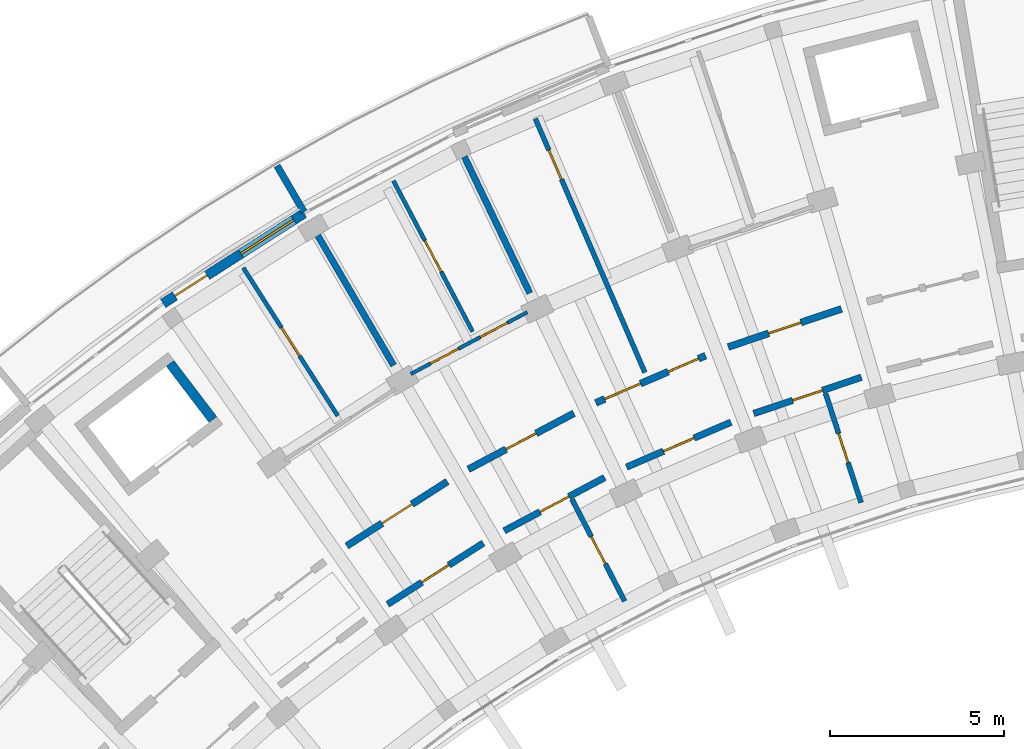
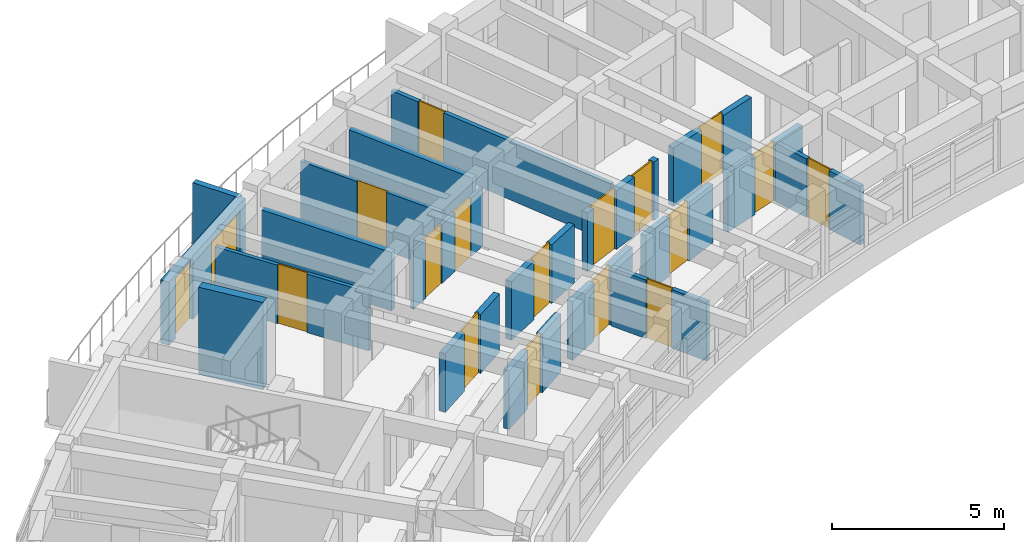
# One storey, part 28 of 54: 19 walls, 17 doors, 1 window, 18 openings.
"""IFC4 building model written with IfcOpenShell, lengths in metres."""

from ifc_helpers import new_model, si_unit, direction, frame, frame_2d, origin, place, context, subcontext, project, spatial, rectangle, extrude, material, layer, layer_set, type_object, element, fill, save


model = new_model("IFC4")

# Units and contexts
model_context = context("Model", 3, precision=1e-05, world=origin(), true_north=direction((0.0, 1.0)))
body_context = subcontext(model_context, "Body", "Model", "MODEL_VIEW")
ifc_project = project(units=[si_unit("LENGTHUNIT", "METRE"), si_unit("AREAUNIT", "SQUARE_METRE"), si_unit("VOLUMEUNIT", "CUBIC_METRE"), si_unit("PLANEANGLEUNIT", "RADIAN"), si_unit("MASSUNIT", "GRAM", prefix="KILO")], contexts=[model_context])

# Site, building, storey
site_placement = place(None, origin())
site = spatial("IfcSite", under=ifc_project, at=site_placement, CompositionType="ELEMENT")
building_placement = place(site_placement, origin())
building = spatial("IfcBuilding", under=site, at=building_placement, Name="Zimvara Arc Housing Community", CompositionType="ELEMENT")
storey_placement = place(building_placement, frame((0.0, 0.0, 20.5)))
storey = spatial("IfcBuildingStorey", under=building, at=storey_placement, Name="L06", CompositionType="ELEMENT", Elevation=20.5)

# Wall
ifc_material_1 = material(Name="Board-Marked Fair-Faced Concrete C35/45", Category="concrete")
ifc_layer_1 = layer(ifc_material_1, 0.195068359375)
ifc_layer_set_1 = layer_set([ifc_layer_1], Name="Board-Marked Fair-Faced Concrete C35/45")
wall_type_1 = type_object("IfcWallType", Name="EWL-PARA-195", PredefinedType="PARAPET", material=ifc_layer_set_1)
wall_1_placement = place(storey_placement, frame((15.038818359375, 95.8134765625, 0.0), z_axis=(0.0, 0.0, 1.0), x_axis=(-0.504228145431, 0.863570481985, 0.0)))
element("IfcWall", 1, at=wall_1_placement, inside=storey, type_object=wall_type_1, Name="finwall:blkA:L06:out:b4", PredefinedType="PARAPET", context=body_context, shape_type="SweptSolid", body=[
    extrude(rectangle(XDim=1.530029296875, YDim=0.195068359375, at=frame_2d((0.76513671875, 0.0))), origin(), (0.0, 0.0, 1.0), 2.25),
])

# Wall, openings, door, window
ifc_material_2 = material(Name="Board-Marked Fair-Faced Concrete C35/45", Category="concrete")
ifc_layer_2 = layer(ifc_material_2, 0.281982421875)
ifc_layer_set_2 = layer_set([ifc_layer_2], Name="Board-Marked Fair-Faced Concrete C35/45")
wall_type_2 = type_object("IfcWallType", Name="EWL-VAR-24", PredefinedType="SOLIDWALL", material=ifc_layer_set_2)
wall_2_placement = place(storey_placement, frame((10.991943359375, 93.17578125, 0.0), z_axis=(0.0, 0.0, 1.0), x_axis=(0.84226218024, 0.539068103061, 0.0)))
wall_2 = element("IfcWall", 2, at=wall_2_placement, inside=storey, type_object=wall_type_2, Name="ewall:blkA:L06:out:b3", PredefinedType="SOLIDWALL", context=body_context, shape_type="SweptSolid", body=[
    extrude(rectangle(XDim=4.808837890625, YDim=0.281982421875, at=frame_2d((2.404296875, 0.0))), origin(), (0.0, 0.0, 1.0), 2.25),
])
opening_1_placement = place(wall_2_placement, frame((0.39990234375, 0.0, 0.0)))
opening_1 = element("IfcOpeningElement", 3, at=opening_1_placement, cuts=wall_2, Name="Opening ED06", PredefinedType="OPENING", context=body_context, shape_type="SweptSolid", body=[
    extrude(rectangle(XDim=1.10009765625, YDim=2.14990234375, at=frame_2d((0.550048828125, 1.074951171875))), frame((0.0, 0.15087890625, 0.0), z_axis=(0.0, -1.0, 0.0), x_axis=(1.0, 0.0, 0.0)), (0.0, 0.0, 1.0), 0.302001953125),
])
opening_2_placement = place(wall_2_placement, frame((2.658935546875, 0.0, 0.35009765625)))
opening_2 = element("IfcOpeningElement", 4, at=opening_2_placement, cuts=wall_2, Name="Opening W08", PredefinedType="OPENING", context=body_context, shape_type="SweptSolid", body=[
    extrude(rectangle(XDim=1.800048828125, YDim=1.64990234375, at=frame_2d((0.89990234375, 0.824951171875))), frame((0.0, 0.15087890625, 0.0), z_axis=(0.0, -1.0, 0.0), x_axis=(1.0, 0.0, 0.0)), (0.0, 0.0, 1.0), 0.302001953125),
])
ifc_material_3 = material(Name="Anodised Aluminium AW-6063", Category="aluminium")
door_type_1 = type_object("IfcDoorType", Name="EDR-TERR-1100x2150", OperationType="NOTDEFINED", PredefinedType="DOOR", material=ifc_material_3)
door_1_placement = place(opening_1_placement, origin())
door_1 = element("IfcDoor", 5, at=door_1_placement, inside=storey, type_object=door_type_1, Name="edoor:blkA:L06:bal_out:b3", OperationType="SINGLE_SWING_LEFT", OverallHeight=2.14990234375, OverallWidth=1.10009765625, PredefinedType="DOOR", context=body_context, shape_type="SweptSolid", body=[
    extrude(rectangle(XDim=1.10009765625, YDim=2.14990234375, at=frame_2d((0.550048828125, 1.074951171875))), frame((0.0, 0.02490234375, 0.0), z_axis=(0.0, -1.0, 0.0), x_axis=(1.0, 0.0, 0.0)), (0.0, 0.0, 1.0), 0.050048828125),
])
fill(opening_1, door_1)
ifc_material_4 = material(Name="Solar Control Low-E Double Glazing", Category="glass")
window_type = type_object("IfcWindowType", Name="WIN-RES-1800x1650", PartitioningType="TRIPLE_PANEL_VERTICAL", PredefinedType="WINDOW", material=ifc_material_4)
window_placement = place(opening_2_placement, origin())
window = element("IfcWindow", 6, at=window_placement, inside=storey, type_object=window_type, Name="win:blkA:L06:out:b3:balw", OverallHeight=1.64990234375, OverallWidth=1.800048828125, PartitioningType="TRIPLE_PANEL_VERTICAL", PredefinedType="WINDOW", context=body_context, shape_type="SweptSolid", body=[
    extrude(rectangle(XDim=1.800048828125, YDim=1.64990234375, at=frame_2d((0.89990234375, 0.824951171875))), frame((0.0, 0.030029296875, 0.0), z_axis=(0.0, -1.0, 0.0), x_axis=(1.0, 0.0, 0.0)), (0.0, 0.0, 1.0), 0.06005859375),
])
fill(opening_2, window)

# Wall, opening, door
ifc_material_5 = material(Name="Concrete C35/45", Category="concrete")
ifc_layer_3 = layer(ifc_material_5, 0.18994140625)
ifc_layer_set_3 = layer_set([ifc_layer_3], Name="Concrete C35/45")
wall_type_3 = type_object("IfcWallType", Name="IWL-CORR-190", PredefinedType="SOLIDWALL", material=ifc_layer_set_3)
wall_3_placement = place(storey_placement, frame((17.44677734375, 84.518798828125, 0.0), z_axis=(0.0, 0.0, 1.0), x_axis=(0.842225276846, 0.539125758095, 0.0)))
wall_3 = element("IfcWall", 7, at=wall_3_placement, inside=storey, type_object=wall_type_3, Name="iwall:blkA:L06:corr_in:b3", PredefinedType="SOLIDWALL", context=body_context, shape_type="SweptSolid", body=[
    extrude(rectangle(XDim=3.2685546875, YDim=0.18994140625, at=frame_2d((1.63427734375, 0.0))), origin(), (0.0, 0.0, 1.0), 2.080078125),
])
opening_3_placement = place(wall_3_placement, frame((1.17431640625, 0.0, 0.0)))
opening_3 = element("IfcOpeningElement", 8, at=opening_3_placement, cuts=wall_3, Name="Opening D02", PredefinedType="OPENING", context=body_context, shape_type="SweptSolid", body=[
    extrude(rectangle(XDim=0.919921875, YDim=2.10009765625, at=frame_2d((0.4599609375, 1.050048828125))), frame((0.0, 0.10498046875, 0.0), z_axis=(0.0, -1.0, 0.0), x_axis=(1.0, 0.0, 0.0)), (0.0, 0.0, 1.0), 0.2099609375),
])
ifc_material_6 = material(Name="Mozambican Hardwood", Category="wood")
door_type_2 = type_object("IfcDoorType", Name="IDR-RM-0920x2100", OperationType="NOTDEFINED", PredefinedType="DOOR", material=ifc_material_6)
door_2_placement = place(opening_3_placement, origin())
door_2 = element("IfcDoor", 9, at=door_2_placement, inside=storey, type_object=door_type_2, Name="idoor:blkA:L06:in_rm:b3", OperationType="SINGLE_SWING_LEFT", OverallHeight=2.10009765625, OverallWidth=0.919921875, PredefinedType="DOOR", context=body_context, shape_type="SweptSolid", body=[
    extrude(rectangle(XDim=0.919921875, YDim=2.10009765625, at=frame_2d((0.4599609375, 1.050048828125))), frame((0.0, 0.02490234375, 0.0), z_axis=(0.0, -1.0, 0.0), x_axis=(1.0, 0.0, 0.0)), (0.0, 0.0, 1.0), 0.050048828125),
])
fill(opening_3, door_2)

wall_4_placement = place(storey_placement, frame((20.8037109375, 86.633544921875, 0.0), z_axis=(0.0, 0.0, 1.0), x_axis=(0.883444301944, 0.468536194293, 0.0)))
wall_4 = element("IfcWall", 10, at=wall_4_placement, inside=storey, type_object=wall_type_3, Name="iwall:blkA:L06:corr_in:b4", PredefinedType="SOLIDWALL", context=body_context, shape_type="SweptSolid", body=[
    extrude(rectangle(XDim=3.268798828125, YDim=0.18994140625, at=frame_2d((1.63427734375, 0.0))), origin(), (0.0, 0.0, 1.0), 2.080078125),
])
opening_4_placement = place(wall_4_placement, frame((1.164306640625, 0.0, 0.0)))
opening_4 = element("IfcOpeningElement", 11, at=opening_4_placement, cuts=wall_4, Name="Opening D03", PredefinedType="OPENING", context=body_context, shape_type="SweptSolid", body=[
    extrude(rectangle(XDim=0.93994140625, YDim=2.10009765625, at=frame_2d((0.469970703125, 1.050048828125))), frame((0.0, 0.10498046875, 0.0), z_axis=(0.0, -1.0, 0.0), x_axis=(1.0, 0.0, 0.0)), (0.0, 0.0, 1.0), 0.2099609375),
])
ifc_material_7 = material(Name="Mozambican Hardwood", Category="wood")
door_type_3 = type_object("IfcDoorType", Name="IDR-RM-0940x2100", OperationType="NOTDEFINED", PredefinedType="DOOR", material=ifc_material_7)
door_3_placement = place(opening_4_placement, origin())
door_3 = element("IfcDoor", 12, at=door_3_placement, inside=storey, type_object=door_type_3, Name="idoor:blkA:L06:in_rm:b4", OperationType="SINGLE_SWING_RIGHT", OverallHeight=2.10009765625, OverallWidth=0.93994140625, PredefinedType="DOOR", context=body_context, shape_type="SweptSolid", body=[
    extrude(rectangle(XDim=0.93994140625, YDim=2.10009765625, at=frame_2d((0.469970703125, 1.050048828125))), frame((0.0, 0.02490234375, 0.0), z_axis=(0.0, -1.0, 0.0), x_axis=(1.0, 0.0, 0.0)), (0.0, 0.0, 1.0), 0.050048828125),
])
fill(opening_4, door_3)

wall_5_placement = place(storey_placement, frame((24.322265625, 88.46728515625, 0.0), z_axis=(0.0, 0.0, 1.0), x_axis=(0.918723391052, 0.394901672235, 0.0)))
wall_5 = element("IfcWall", 13, at=wall_5_placement, inside=storey, type_object=wall_type_3, Name="iwall:blkA:L06:corr_in:b5", PredefinedType="SOLIDWALL", context=body_context, shape_type="SweptSolid", body=[
    extrude(rectangle(XDim=3.2685546875, YDim=0.18994140625, at=frame_2d((1.63427734375, 0.0))), origin(), (0.0, 0.0, 1.0), 2.080078125),
])
opening_5_placement = place(wall_5_placement, frame((1.154296875, 0.0, 0.0)))
opening_5 = element("IfcOpeningElement", 14, at=opening_5_placement, cuts=wall_5, Name="Opening D04", PredefinedType="OPENING", context=body_context, shape_type="SweptSolid", body=[
    extrude(rectangle(XDim=0.9599609375, YDim=2.10009765625, at=frame_2d((0.47998046875, 1.050048828125))), frame((0.0, 0.10498046875, 0.0), z_axis=(0.0, -1.0, 0.0), x_axis=(1.0, 0.0, 0.0)), (0.0, 0.0, 1.0), 0.2099609375),
])
ifc_material_8 = material(Name="Mozambican Hardwood", Category="wood")
door_type_4 = type_object("IfcDoorType", Name="IDR-RM-0960x2100", OperationType="NOTDEFINED", PredefinedType="DOOR", material=ifc_material_8)
door_4_placement = place(opening_5_placement, origin())
door_4 = element("IfcDoor", 15, at=door_4_placement, inside=storey, type_object=door_type_4, Name="idoor:blkA:L06:in_rm:b5", OperationType="SINGLE_SWING_LEFT", OverallHeight=2.10009765625, OverallWidth=0.9599609375, PredefinedType="DOOR", context=body_context, shape_type="SweptSolid", body=[
    extrude(rectangle(XDim=0.9599609375, YDim=2.10009765625, at=frame_2d((0.47998046875, 1.050048828125))), frame((0.0, 0.02490234375, 0.0), z_axis=(0.0, -1.0, 0.0), x_axis=(1.0, 0.0, 0.0)), (0.0, 0.0, 1.0), 0.050048828125),
])
fill(opening_5, door_4)

wall_6_placement = place(storey_placement, frame((27.978515625, 90.0078125, 0.0), z_axis=(0.0, 0.0, 1.0), x_axis=(0.94787351033, 0.318646839643, 0.0)))
wall_6 = element("IfcWall", 16, at=wall_6_placement, inside=storey, type_object=wall_type_3, Name="iwall:blkA:L06:corr_in:b6", PredefinedType="SOLIDWALL", context=body_context, shape_type="SweptSolid", body=[
    extrude(rectangle(XDim=3.2685546875, YDim=0.18994140625, at=frame_2d((1.63427734375, 0.0))), origin(), (0.0, 0.0, 1.0), 2.080078125),
])
opening_6_placement = place(wall_6_placement, frame((1.184326171875, 0.0, 0.0)))
opening_6 = element("IfcOpeningElement", 17, at=opening_6_placement, cuts=wall_6, Name="Opening D01", PredefinedType="OPENING", context=body_context, shape_type="SweptSolid", body=[
    extrude(rectangle(XDim=0.89990234375, YDim=2.10009765625, at=frame_2d((0.449951171875, 1.050048828125))), frame((0.0, 0.10498046875, 0.0), z_axis=(0.0, -1.0, 0.0), x_axis=(1.0, 0.0, 0.0)), (0.0, 0.0, 1.0), 0.2099609375),
])
ifc_material_9 = material(Name="Mozambican Hardwood", Category="wood")
door_type_5 = type_object("IfcDoorType", Name="IDR-RM-0900x2100", OperationType="NOTDEFINED", PredefinedType="DOOR", material=ifc_material_9)
door_5_placement = place(opening_6_placement, origin())
door_5 = element("IfcDoor", 18, at=door_5_placement, inside=storey, type_object=door_type_5, Name="idoor:blkA:L06:in_rm:b6", OperationType="SINGLE_SWING_RIGHT", OverallHeight=2.10009765625, OverallWidth=0.89990234375, PredefinedType="DOOR", context=body_context, shape_type="SweptSolid", body=[
    extrude(rectangle(XDim=0.89990234375, YDim=2.10009765625, at=frame_2d((0.449951171875, 1.050048828125))), frame((0.0, 0.02490234375, 0.0), z_axis=(0.0, -1.0, 0.0), x_axis=(1.0, 0.0, 0.0)), (0.0, 0.0, 1.0), 0.050048828125),
])
fill(opening_6, door_5)

ifc_material_10 = material(Name="Concrete C35/45", Category="concrete")
ifc_layer_4 = layer(ifc_material_10, 0.199951171875)
ifc_layer_set_4 = layer_set([ifc_layer_4], Name="Concrete C35/45")
wall_type_4 = type_object("IfcWallType", Name="IWL-CORR-200", PredefinedType="SOLIDWALL", material=ifc_layer_set_4)
wall_7_placement = place(storey_placement, frame((16.272216796875, 86.198974609375, 0.0), z_axis=(0.0, 0.0, 1.0), x_axis=(0.842257205985, 0.539075874963, 0.0)))
wall_7 = element("IfcWall", 19, at=wall_7_placement, inside=storey, type_object=wall_type_4, Name="iwall:blkA:L06:corr_out:b3", PredefinedType="SOLIDWALL", context=body_context, shape_type="SweptSolid", body=[
    extrude(rectangle(XDim=3.43603515625, YDim=0.199951171875, at=frame_2d((1.718017578125, 0.0))), origin(), (0.0, 0.0, 1.0), 2.080078125),
])
opening_7_placement = place(wall_7_placement, frame((1.2080078125, 0.0, 0.0)))
opening_7 = element("IfcOpeningElement", 20, at=opening_7_placement, cuts=wall_7, Name="Opening FD-FL2", PredefinedType="OPENING", context=body_context, shape_type="SweptSolid", body=[
    extrude(rectangle(XDim=1.02001953125, YDim=2.14990234375, at=frame_2d((0.510009765625, 1.074951171875))), frame((0.0, 0.10986328125, 0.0), z_axis=(0.0, -1.0, 0.0), x_axis=(1.0, 0.0, 0.0)), (0.0, 0.0, 1.0), 0.219970703125),
])
ifc_material_11 = material(Name="Mozambican Hardwood", Category="wood")
door_type_6 = type_object("IfcDoorType", Name="IDR-FLAT-1020x2150", OperationType="NOTDEFINED", PredefinedType="DOOR", material=ifc_material_11)
door_6_placement = place(opening_7_placement, origin())
door_6 = element("IfcDoor", 21, at=door_6_placement, inside=storey, type_object=door_type_6, Name="idoor:blkA:L06:flat:b3", OperationType="SINGLE_SWING_RIGHT", OverallHeight=2.14990234375, OverallWidth=1.02001953125, PredefinedType="DOOR", context=body_context, shape_type="SweptSolid", body=[
    extrude(rectangle(XDim=1.02001953125, YDim=2.14990234375, at=frame_2d((0.510009765625, 1.074951171875))), frame((0.0, 0.02490234375, 0.0), z_axis=(0.0, -1.0, 0.0), x_axis=(1.0, 0.0, 0.0)), (0.0, 0.0, 1.0), 0.050048828125),
])
fill(opening_7, door_6)

wall_8_placement = place(storey_placement, frame((19.770263671875, 88.40380859375, 0.0), z_axis=(0.0, 0.0, 1.0), x_axis=(0.883410853063, 0.468599258099, 0.0)))
wall_8 = element("IfcWall", 22, at=wall_8_placement, inside=storey, type_object=wall_type_4, Name="iwall:blkA:L06:corr_out:b4", PredefinedType="SOLIDWALL", context=body_context, shape_type="SweptSolid", body=[
    extrude(rectangle(XDim=3.43603515625, YDim=0.199951171875, at=frame_2d((1.718017578125, 0.0))), origin(), (0.0, 0.0, 1.0), 2.080078125),
])
opening_8_placement = place(wall_8_placement, frame((1.22802734375, 0.0, 0.0)))
opening_8 = element("IfcOpeningElement", 23, at=opening_8_placement, cuts=wall_8, Name="Opening FD-FL1", PredefinedType="OPENING", context=body_context, shape_type="SweptSolid", body=[
    extrude(rectangle(XDim=0.97998046875, YDim=2.14990234375, at=frame_2d((0.489990234375, 1.074951171875))), frame((0.0, 0.10986328125, 0.0), z_axis=(0.0, -1.0, 0.0), x_axis=(1.0, 0.0, 0.0)), (0.0, 0.0, 1.0), 0.219970703125),
])
ifc_material_12 = material(Name="Mozambican Hardwood", Category="wood")
door_type_7 = type_object("IfcDoorType", Name="IDR-FLAT-0980x2150", OperationType="NOTDEFINED", PredefinedType="DOOR", material=ifc_material_12)
door_7_placement = place(opening_8_placement, origin())
door_7 = element("IfcDoor", 24, at=door_7_placement, inside=storey, type_object=door_type_7, Name="idoor:blkA:L06:flat:b4", OperationType="SINGLE_SWING_LEFT", OverallHeight=2.14990234375, OverallWidth=0.97998046875, PredefinedType="DOOR", context=body_context, shape_type="SweptSolid", body=[
    extrude(rectangle(XDim=0.97998046875, YDim=2.14990234375, at=frame_2d((0.489990234375, 1.074951171875))), frame((0.0, 0.02490234375, 0.0), z_axis=(0.0, -1.0, 0.0), x_axis=(1.0, 0.0, 0.0)), (0.0, 0.0, 1.0), 0.050048828125),
])
fill(opening_8, door_7)

# Wall, openings, doors
wall_9_placement = place(storey_placement, frame((23.4365234375, 90.31591796875, 0.0), z_axis=(0.0, 0.0, 1.0), x_axis=(0.918718172399, 0.394913813008, 0.0)))
wall_9 = element("IfcWall", 25, at=wall_9_placement, inside=storey, type_object=wall_type_4, Name="iwall:blkA:L06:corr_out:b5", PredefinedType="SOLIDWALL", context=body_context, shape_type="SweptSolid", body=[
    extrude(rectangle(XDim=3.43603515625, YDim=0.199951171875, at=frame_2d((1.718017578125, 0.0))), origin(), (0.0, 0.0, 1.0), 2.080078125),
])
opening_9_placement = place(wall_9_placement, frame((0.280029296875, 0.0, 0.0)))
opening_9 = element("IfcOpeningElement", 26, at=opening_9_placement, cuts=wall_9, Name="Opening D07", PredefinedType="OPENING", context=body_context, shape_type="SweptSolid", body=[
    extrude(rectangle(XDim=1.1201171875, YDim=2.14990234375, at=frame_2d((0.56005859375, 1.074951171875))), frame((0.0, 0.10986328125, 0.0), z_axis=(0.0, -1.0, 0.0), x_axis=(1.0, 0.0, 0.0)), (0.0, 0.0, 1.0), 0.219970703125),
])
opening_10_placement = place(wall_9_placement, frame((2.26611328125, 0.0, 0.0)))
opening_10 = element("IfcOpeningElement", 27, at=opening_10_placement, cuts=wall_9, Name="Opening D06", PredefinedType="OPENING", context=body_context, shape_type="SweptSolid", body=[
    extrude(rectangle(XDim=0.949951171875, YDim=2.10009765625, at=frame_2d((0.47509765625, 1.050048828125))), frame((0.0, 0.10986328125, 0.0), z_axis=(0.0, -1.0, 0.0), x_axis=(1.0, 0.0, 0.0)), (0.0, 0.0, 1.0), 0.219970703125),
])
ifc_material_13 = material(Name="Mozambican Hardwood", Category="wood")
door_type_8 = type_object("IfcDoorType", Name="IDR-AMN-1120x2150", OperationType="NOTDEFINED", PredefinedType="DOOR", material=ifc_material_13)
door_8_placement = place(opening_9_placement, origin())
door_8 = element("IfcDoor", 28, at=door_8_placement, inside=storey, type_object=door_type_8, Name="idoor:blkA:L06:amen:b5", OperationType="SINGLE_SWING_LEFT", OverallHeight=2.14990234375, OverallWidth=1.1201171875, PredefinedType="DOOR", context=body_context, shape_type="SweptSolid", body=[
    extrude(rectangle(XDim=1.1201171875, YDim=2.14990234375, at=frame_2d((0.56005859375, 1.074951171875))), frame((0.0, 0.02490234375, 0.0), z_axis=(0.0, -1.0, 0.0), x_axis=(1.0, 0.0, 0.0)), (0.0, 0.0, 1.0), 0.050048828125),
])
fill(opening_9, door_8)
ifc_material_14 = material(Name="Mozambican Hardwood", Category="wood")
door_type_9 = type_object("IfcDoorType", Name="IDR-AWC-0950x2100", OperationType="NOTDEFINED", PredefinedType="DOOR", material=ifc_material_14)
door_9_placement = place(opening_10_placement, origin())
door_9 = element("IfcDoor", 29, at=door_9_placement, inside=storey, type_object=door_type_9, Name="idoor:blkA:L06:cawc:b5", OperationType="SINGLE_SWING_RIGHT", OverallHeight=2.10009765625, OverallWidth=0.949951171875, PredefinedType="DOOR", context=body_context, shape_type="SweptSolid", body=[
    extrude(rectangle(XDim=0.949951171875, YDim=2.10009765625, at=frame_2d((0.47509765625, 1.050048828125))), frame((0.0, 0.02490234375, 0.0), z_axis=(0.0, -1.0, 0.0), x_axis=(1.0, 0.0, 0.0)), (0.0, 0.0, 1.0), 0.050048828125),
])
fill(opening_10, door_9)

# Wall, opening, door
wall_10_placement = place(storey_placement, frame((27.24658203125, 91.922607421875, 0.0), z_axis=(0.0, 0.0, 1.0), x_axis=(0.947863007629, 0.318678080151, 0.0)))
wall_10 = element("IfcWall", 30, at=wall_10_placement, inside=storey, type_object=wall_type_4, Name="iwall:blkA:L06:corr_out:b6", PredefinedType="SOLIDWALL", context=body_context, shape_type="SweptSolid", body=[
    extrude(rectangle(XDim=3.43603515625, YDim=0.199951171875, at=frame_2d((1.718017578125, 0.0))), origin(), (0.0, 0.0, 1.0), 2.080078125),
])
opening_11_placement = place(wall_10_placement, frame((1.22802734375, 0.0, 0.0)))
opening_11 = element("IfcOpeningElement", 31, at=opening_11_placement, cuts=wall_10, Name="Opening FD-FL1", PredefinedType="OPENING", context=body_context, shape_type="SweptSolid", body=[
    extrude(rectangle(XDim=0.97998046875, YDim=2.14990234375, at=frame_2d((0.489990234375, 1.074951171875))), frame((0.0, 0.10986328125, 0.0), z_axis=(0.0, -1.0, 0.0), x_axis=(1.0, 0.0, 0.0)), (0.0, 0.0, 1.0), 0.219970703125),
])
door_10_placement = place(opening_11_placement, origin())
door_10 = element("IfcDoor", 32, at=door_10_placement, inside=storey, type_object=door_type_7, Name="idoor:blkA:L06:flat:b6", OperationType="SINGLE_SWING_LEFT", OverallHeight=2.14990234375, OverallWidth=0.97998046875, PredefinedType="DOOR", context=body_context, shape_type="SweptSolid", body=[
    extrude(rectangle(XDim=0.97998046875, YDim=2.14990234375, at=frame_2d((0.489990234375, 1.074951171875))), frame((0.0, 0.02490234375, 0.0), z_axis=(0.0, -1.0, 0.0), x_axis=(1.0, 0.0, 0.0)), (0.0, 0.0, 1.0), 0.050048828125),
])
fill(opening_11, door_10)

# Walls
ifc_material_15 = material(Name="Concrete C35/45", Category="concrete")
ifc_layer_5 = layer(ifc_material_15, 0.18505859375)
ifc_layer_set_5 = layer_set([ifc_layer_5], Name="Concrete C35/45")
wall_type_5 = type_object("IfcWallType", Name="IWL-FLAT-185", PredefinedType="SOLIDWALL", material=ifc_layer_set_5)
for number, where, z_axis, x_axis, name in (
    (33, (17.62060546875, 91.391845703125, 0.0), (0.0, 0.0, 1.0), (-0.504216452091, 0.863577309475, 0.0), "iwall:blkA:L06:party:b4"),
    (34, (21.537841796875, 93.469482421875, 0.0), (0.0, 0.0, 1.0), (-0.432086898897, 0.901831975371, 0.0), "iwall:blkA:L06:party:b5"),
):
    element("IfcWall", number, at=place(storey_placement, frame(where, z_axis=z_axis, x_axis=x_axis)), inside=storey, type_object=wall_type_5, Name=name, PredefinedType="SOLIDWALL", context=body_context, shape_type="SweptSolid", body=[
        extrude(rectangle(XDim=4.35009765625, YDim=0.18505859375, at=frame_2d((2.175048828125, 0.0))), origin(), (0.0, 0.0, 1.0), 2.080078125),
    ])

# Wall, openings, doors
ifc_material_16 = material(Name="Painted Acoustic Plasterboard")
ifc_layer_6 = layer(ifc_material_16, 0.10498046875)
ifc_layer_set_6 = layer_set([ifc_layer_6], Name="Painted Acoustic Plasterboard")
wall_type_6 = type_object("IfcWallType", Name="IWL-PART-105", PredefinedType="PARTITIONING", material=ifc_layer_set_6)
wall_11_placement = place(storey_placement, frame((18.112548828125, 91.143798828125, 0.0), z_axis=(0.0, 0.0, 1.0), x_axis=(0.88341855112, 0.46858474531, 0.0)))
wall_11 = element("IfcWall", 35, at=wall_11_placement, inside=storey, type_object=wall_type_6, Name="iwall:blkA:L06:srv:b4", PredefinedType="PARTITIONING", context=body_context, shape_type="SweptSolid", body=[
    extrude(rectangle(XDim=3.797119140625, YDim=0.10498046875, at=frame_2d((1.8984375, 0.0))), origin(), (0.0, 0.0, 1.0), 2.080078125),
])
opening_12_placement = place(wall_11_placement, frame((0.64990234375, 0.0, 0.0)))
opening_12 = element("IfcOpeningElement", 36, at=opening_12_placement, cuts=wall_11, Name="Opening D01", PredefinedType="OPENING", context=body_context, shape_type="SweptSolid", body=[
    extrude(rectangle(XDim=0.89990234375, YDim=2.10009765625, at=frame_2d((0.449951171875, 1.050048828125))), frame((0.0, 0.0625, 0.0), z_axis=(0.0, -1.0, 0.0), x_axis=(1.0, 0.0, 0.0)), (0.0, 0.0, 1.0), 0.125),
])
opening_13_placement = place(wall_11_placement, frame((2.267333984375, 0.0, 0.0)))
opening_13 = element("IfcOpeningElement", 37, at=opening_13_placement, cuts=wall_11, Name="Opening D05", PredefinedType="OPENING", context=body_context, shape_type="SweptSolid", body=[
    extrude(rectangle(XDim=0.8798828125, YDim=2.10009765625, at=frame_2d((0.43994140625, 1.050048828125))), frame((0.0, 0.0625, 0.0), z_axis=(0.0, -1.0, 0.0), x_axis=(1.0, 0.0, 0.0)), (0.0, 0.0, 1.0), 0.125),
])
door_11_placement = place(opening_12_placement, origin())
door_11 = element("IfcDoor", 38, at=door_11_placement, inside=storey, type_object=door_type_5, Name="idoor:blkA:L06:kit_liv:b4", OperationType="SINGLE_SWING_RIGHT", OverallHeight=2.10009765625, OverallWidth=0.89990234375, PredefinedType="DOOR", context=body_context, shape_type="SweptSolid", body=[
    extrude(rectangle(XDim=0.89990234375, YDim=2.10009765625, at=frame_2d((0.449951171875, 1.050048828125))), frame((0.0, 0.02490234375, 0.0), z_axis=(0.0, -1.0, 0.0), x_axis=(1.0, 0.0, 0.0)), (0.0, 0.0, 1.0), 0.050048828125),
])
fill(opening_12, door_11)
ifc_material_17 = material(Name="Mozambican Hardwood", Category="wood")
door_type_10 = type_object("IfcDoorType", Name="IDR-WC-0880x2100", OperationType="NOTDEFINED", PredefinedType="DOOR", material=ifc_material_17)
door_12_placement = place(opening_13_placement, origin())
door_12 = element("IfcDoor", 39, at=door_12_placement, inside=storey, type_object=door_type_10, Name="idoor:blkA:L06:bath_d:b4", OperationType="SINGLE_SWING_LEFT", OverallHeight=2.10009765625, OverallWidth=0.8798828125, PredefinedType="DOOR", context=body_context, shape_type="SweptSolid", body=[
    extrude(rectangle(XDim=0.8798828125, YDim=2.10009765625, at=frame_2d((0.43994140625, 1.050048828125))), frame((0.0, 0.02490234375, 0.0), z_axis=(0.0, -1.0, 0.0), x_axis=(1.0, 0.0, 0.0)), (0.0, 0.0, 1.0), 0.050048828125),
])
fill(opening_13, door_12)

# Wall, opening, door
ifc_material_18 = material(Name="Painted Acoustic Plasterboard")
ifc_layer_7 = layer(ifc_material_18, 0.1201171875)
ifc_layer_set_7 = layer_set([ifc_layer_7], Name="Painted Acoustic Plasterboard")
wall_type_7 = type_object("IfcWallType", Name="IWL-PART-120", PredefinedType="PARTITIONING", material=ifc_layer_set_7)
wall_12_placement = place(storey_placement, frame((16.012939453125, 89.94189453125, 0.0), z_axis=(0.0, 0.0, 1.0), x_axis=(-0.537785480308, 0.843081714409, 0.0)))
wall_12 = element("IfcWall", 40, at=wall_12_placement, inside=storey, type_object=wall_type_7, Name="iwall:blkA:L06:bed_div:b3", PredefinedType="PARTITIONING", context=body_context, shape_type="SweptSolid", body=[
    extrude(rectangle(XDim=5.050048828125, YDim=0.1201171875, at=frame_2d((2.52490234375, 0.0))), origin(), (0.0, 0.0, 1.0), 2.080078125),
])
opening_14_placement = place(wall_12_placement, frame((2.0400390625, 0.0, 0.0)))
opening_14 = element("IfcOpeningElement", 41, at=opening_14_placement, cuts=wall_12, Name="Opening D14", PredefinedType="OPENING", context=body_context, shape_type="SweptSolid", body=[
    extrude(rectangle(XDim=0.969970703125, YDim=2.10009765625, at=frame_2d((0.48486328125, 1.050048828125))), frame((0.0, 0.070068359375, 0.0), z_axis=(0.0, -1.0, 0.0), x_axis=(1.0, 0.0, 0.0)), (0.0, 0.0, 1.0), 0.14013671875),
])
ifc_material_19 = material(Name="Mozambican Hardwood", Category="wood")
door_type_11 = type_object("IfcDoorType", Name="IDR-MOD-970x2080", OperationType="NOTDEFINED", PredefinedType="DOOR", material=ifc_material_19)
door_13_placement = place(opening_14_placement, origin())
door_13 = element("IfcDoor", 42, at=door_13_placement, inside=storey, type_object=door_type_11, Name="idoor:blkA:L06:bed_d:b3", OperationType="SINGLE_SWING_RIGHT", OverallHeight=2.10009765625, OverallWidth=0.969970703125, PredefinedType="DOOR", context=body_context, shape_type="SweptSolid", body=[
    extrude(rectangle(XDim=0.969970703125, YDim=2.10009765625, at=frame_2d((0.48486328125, 1.050048828125))), frame((0.0, 0.02490234375, 0.0), z_axis=(0.0, -1.0, 0.0), x_axis=(1.0, 0.0, 0.0)), (0.0, 0.0, 1.0), 0.050048828125),
])
fill(opening_14, door_13)

wall_13_placement = place(storey_placement, frame((19.891357421875, 92.364013671875, 0.0), z_axis=(0.0, 0.0, 1.0), x_axis=(-0.464567298878, 0.885537816704, 0.0)))
wall_13 = element("IfcWall", 43, at=wall_13_placement, inside=storey, type_object=wall_type_7, Name="iwall:blkA:L06:bed_div:b4", PredefinedType="PARTITIONING", context=body_context, shape_type="SweptSolid", body=[
    extrude(rectangle(XDim=4.89990234375, YDim=0.1201171875, at=frame_2d((2.449951171875, 0.0))), origin(), (0.0, 0.0, 1.0), 2.080078125),
])
opening_15_placement = place(wall_13_placement, frame((1.945068359375, 0.0, 0.0)))
opening_15 = element("IfcOpeningElement", 44, at=opening_15_placement, cuts=wall_13, Name="Opening D15", PredefinedType="OPENING", context=body_context, shape_type="SweptSolid", body=[
    extrude(rectangle(XDim=1.010009765625, YDim=2.10009765625, at=frame_2d((0.5048828125, 1.050048828125))), frame((0.0, 0.070068359375, 0.0), z_axis=(0.0, -1.0, 0.0), x_axis=(1.0, 0.0, 0.0)), (0.0, 0.0, 1.0), 0.14013671875),
])
ifc_material_20 = material(Name="Mozambican Hardwood", Category="wood")
door_type_12 = type_object("IfcDoorType", Name="IDR-MOD-1010x2160", OperationType="NOTDEFINED", PredefinedType="DOOR", material=ifc_material_20)
door_14_placement = place(opening_15_placement, origin())
door_14 = element("IfcDoor", 45, at=door_14_placement, inside=storey, type_object=door_type_12, Name="idoor:blkA:L06:bed_d:b4", OperationType="SINGLE_SWING_RIGHT", OverallHeight=2.10009765625, OverallWidth=1.010009765625, PredefinedType="DOOR", context=body_context, shape_type="SweptSolid", body=[
    extrude(rectangle(XDim=1.010009765625, YDim=2.10009765625, at=frame_2d((0.5048828125, 1.050048828125))), frame((0.0, 0.02490234375, 0.0), z_axis=(0.0, -1.0, 0.0), x_axis=(1.0, 0.0, 0.0)), (0.0, 0.0, 1.0), 0.050048828125),
])
fill(opening_15, door_14)

ifc_material_21 = material(Name="Painted Acoustic Plasterboard")
ifc_layer_8 = layer(ifc_material_21, 0.139892578125)
ifc_layer_set_8 = layer_set([ifc_layer_8], Name="Painted Acoustic Plasterboard")
wall_type_8 = type_object("IfcWallType", Name="IWL-PART-140", PredefinedType="PARTITIONING", material=ifc_layer_set_8)
wall_14_placement = place(storey_placement, frame((24.8486328125, 91.186767578125, 0.0), z_axis=(0.0, 0.0, 1.0), x_axis=(-0.396278945437, 0.91813016365, 0.0)))
wall_14 = element("IfcWall", 46, at=wall_14_placement, inside=storey, type_object=wall_type_8, Name="iwall:blkA:L06:amen_div:b5", PredefinedType="PARTITIONING", context=body_context, shape_type="SweptSolid", body=[
    extrude(rectangle(XDim=7.949951171875, YDim=0.139892578125, at=frame_2d((3.97509765625, 0.0))), origin(), (0.0, 0.0, 1.0), 2.080078125),
])
opening_16_placement = place(wall_14_placement, frame((6.050048828125, 0.0, 0.0)))
opening_16 = element("IfcOpeningElement", 47, at=opening_16_placement, cuts=wall_14, Name="Opening D02", PredefinedType="OPENING", context=body_context, shape_type="SweptSolid", body=[
    extrude(rectangle(XDim=0.919921875, YDim=2.10009765625, at=frame_2d((0.4599609375, 1.050048828125))), frame((0.0, 0.079833984375, 0.0), z_axis=(0.0, -1.0, 0.0), x_axis=(1.0, 0.0, 0.0)), (0.0, 0.0, 1.0), 0.159912109375),
])
door_15_placement = place(opening_16_placement, origin())
door_15 = element("IfcDoor", 48, at=door_15_placement, inside=storey, type_object=door_type_2, Name="idoor:blkA:L06:laund_d:b5", OperationType="SINGLE_SWING_RIGHT", OverallHeight=2.10009765625, OverallWidth=0.919921875, PredefinedType="DOOR", context=body_context, shape_type="SweptSolid", body=[
    extrude(rectangle(XDim=0.919921875, YDim=2.10009765625, at=frame_2d((0.4599609375, 1.050048828125))), frame((0.0, 0.02490234375, 0.0), z_axis=(0.0, -1.0, 0.0), x_axis=(1.0, 0.0, 0.0)), (0.0, 0.0, 1.0), 0.050048828125),
])
fill(opening_16, door_15)

ifc_material_22 = material(Name="Painted Acoustic Plasterboard")
ifc_layer_9 = layer(ifc_material_22, 0.14501953125)
ifc_layer_set_9 = layer_set([ifc_layer_9], Name="Painted Acoustic Plasterboard")
wall_type_9 = type_object("IfcWallType", Name="IWL-WET-145", PredefinedType="PARTITIONING", material=ifc_layer_set_9)
wall_15_placement = place(storey_placement, frame((24.267333984375, 84.6083984375, 0.0), z_axis=(0.0, 0.0, 1.0), x_axis=(-0.459217611894, 0.888323806349, 0.0)))
wall_15 = element("IfcWall", 49, at=wall_15_placement, inside=storey, type_object=wall_type_9, Name="iwall:blkA:L06:ens:b4", PredefinedType="PARTITIONING", context=body_context, shape_type="SweptSolid", body=[
    extrude(rectangle(XDim=3.2998046875, YDim=0.14501953125, at=frame_2d((1.64990234375, 0.0))), origin(), (0.0, 0.0, 1.0), 2.080078125),
])
opening_17_placement = place(wall_15_placement, frame((1.2099609375, 0.0, 0.0)))
opening_17 = element("IfcOpeningElement", 50, at=opening_17_placement, cuts=wall_15, Name="Opening D05", PredefinedType="OPENING", context=body_context, shape_type="SweptSolid", body=[
    extrude(rectangle(XDim=0.8798828125, YDim=2.10009765625, at=frame_2d((0.43994140625, 1.050048828125))), frame((0.0, 0.08251953125, 0.0), z_axis=(0.0, -1.0, 0.0), x_axis=(1.0, 0.0, 0.0)), (0.0, 0.0, 1.0), 0.1650390625),
])
door_16_placement = place(opening_17_placement, origin())
door_16 = element("IfcDoor", 51, at=door_16_placement, inside=storey, type_object=door_type_10, Name="idoor:blkA:L06:ens_d:b4", OperationType="SINGLE_SWING_LEFT", OverallHeight=2.10009765625, OverallWidth=0.8798828125, PredefinedType="DOOR", context=body_context, shape_type="SweptSolid", body=[
    extrude(rectangle(XDim=0.8798828125, YDim=2.10009765625, at=frame_2d((0.43994140625, 1.050048828125))), frame((0.0, 0.02490234375, 0.0), z_axis=(0.0, -1.0, 0.0), x_axis=(1.0, 0.0, 0.0)), (0.0, 0.0, 1.0), 0.050048828125),
])
fill(opening_17, door_16)

wall_16_placement = place(storey_placement, frame((31.06640625, 87.4462890625, 0.0), z_axis=(0.0, 0.0, 1.0), x_axis=(-0.308582493915, 0.951197584337, 0.0)))
wall_16 = element("IfcWall", 52, at=wall_16_placement, inside=storey, type_object=wall_type_9, Name="iwall:blkA:L06:ens:b6", PredefinedType="PARTITIONING", context=body_context, shape_type="SweptSolid", body=[
    extrude(rectangle(XDim=3.300048828125, YDim=0.14501953125, at=frame_2d((1.64990234375, 0.0))), origin(), (0.0, 0.0, 1.0), 2.080078125),
])
opening_18_placement = place(wall_16_placement, frame((1.2099609375, 0.0, 0.0)))
opening_18 = element("IfcOpeningElement", 53, at=opening_18_placement, cuts=wall_16, Name="Opening D05", PredefinedType="OPENING", context=body_context, shape_type="SweptSolid", body=[
    extrude(rectangle(XDim=0.8798828125, YDim=2.10009765625, at=frame_2d((0.43994140625, 1.050048828125))), frame((0.0, 0.08251953125, 0.0), z_axis=(0.0, -1.0, 0.0), x_axis=(1.0, 0.0, 0.0)), (0.0, 0.0, 1.0), 0.1650390625),
])
door_17_placement = place(opening_18_placement, origin())
door_17 = element("IfcDoor", 54, at=door_17_placement, inside=storey, type_object=door_type_10, Name="idoor:blkA:L06:ens_d:b6", OperationType="SINGLE_SWING_LEFT", OverallHeight=2.10009765625, OverallWidth=0.8798828125, PredefinedType="DOOR", context=body_context, shape_type="SweptSolid", body=[
    extrude(rectangle(XDim=0.8798828125, YDim=2.10009765625, at=frame_2d((0.43994140625, 1.050048828125))), frame((0.0, 0.02490234375, 0.0), z_axis=(0.0, -1.0, 0.0), x_axis=(1.0, 0.0, 0.0)), (0.0, 0.0, 1.0), 0.050048828125),
])
fill(opening_18, door_17)

# Wall
ifc_material_23 = material(Name="Concrete C40/50", Category="concrete")
ifc_layer_10 = layer(ifc_material_23, 0.280029296875)
ifc_layer_set_10 = layer_set([ifc_layer_10], Name="Concrete C40/50")
wall_type_10 = type_object("IfcWallType", Name="WL-CORE-280", PredefinedType="SHEAR", material=ifc_layer_set_10)
wall_17_placement = place(storey_placement, frame((12.419677734375, 89.833740234375, 0.0), z_axis=(0.0, 0.0, 1.0), x_axis=(-0.605948992168, 0.795503500238, 0.0)))
element("IfcWall", 55, at=wall_17_placement, inside=storey, type_object=wall_type_10, Name="lwall:LF-A1:L06:left", PredefinedType="SHEAR", context=body_context, shape_type="SweptSolid", body=[
    extrude(rectangle(XDim=2.02978515625, YDim=0.280029296875, at=frame_2d((1.014892578125, 0.0))), origin(), (0.0, 0.0, 1.0), 3.10009765625),
])

save(model, "model.ifc")
